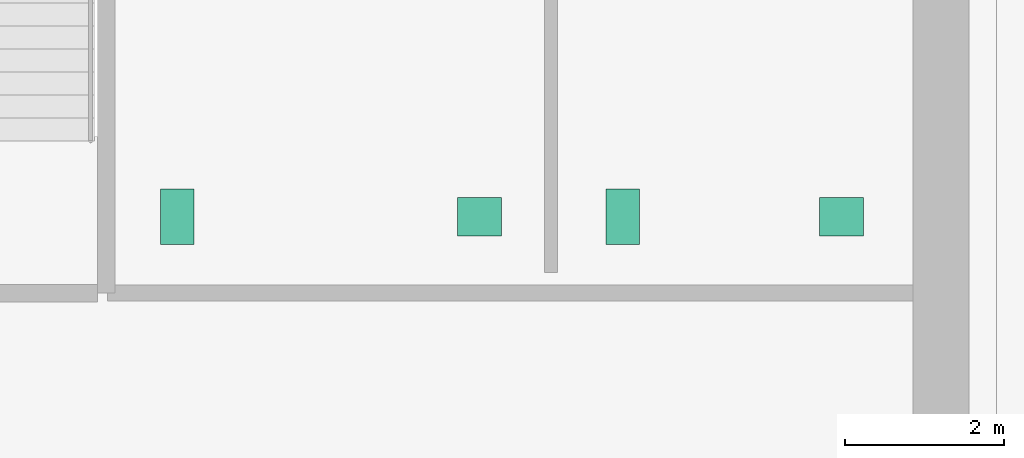
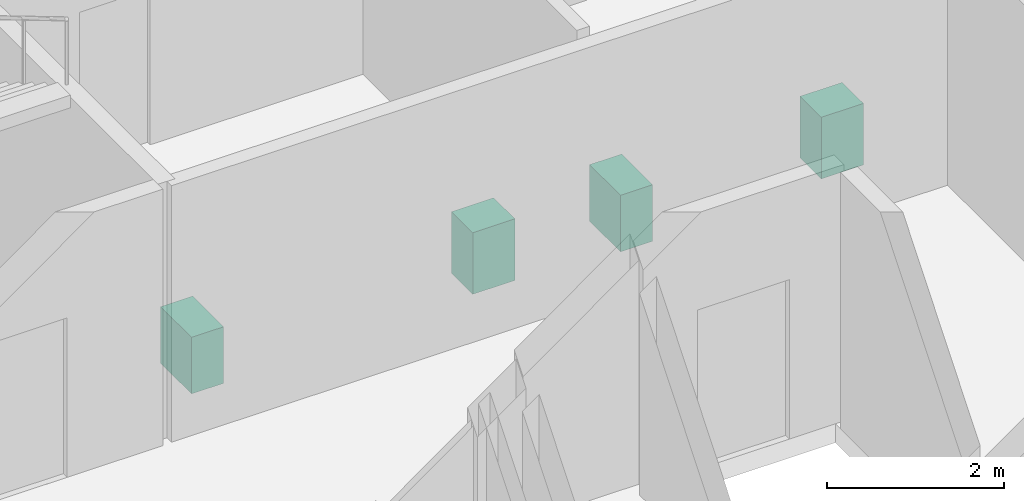
# One storey, part 11 of 11: 4 sanitary terminals.
"""IFC4 building model written with IfcOpenShell, lengths in metres."""

from ifc_helpers import new_model, si_unit, direction, frame, origin, origin_2d, place, context, subcontext, project, spatial, rectangle, extrude, material, type_object, element, save


model = new_model("IFC4")

# Units and contexts
model_context = context("Model", 3, precision=1e-05, world=origin(), true_north=direction((0.0, 1.0)))
body_context = subcontext(model_context, "Body", "Model", "MODEL_VIEW")
ifc_project = project(units=[si_unit("LENGTHUNIT", "METRE"), si_unit("AREAUNIT", "SQUARE_METRE"), si_unit("VOLUMEUNIT", "CUBIC_METRE"), si_unit("PLANEANGLEUNIT", "RADIAN"), si_unit("MASSUNIT", "GRAM", prefix="KILO")], contexts=[model_context])

# Site, building, storey
site_placement = place(None, origin())
site = spatial("IfcSite", under=ifc_project, at=site_placement, CompositionType="ELEMENT")
building_placement = place(site_placement, origin())
building = spatial("IfcBuilding", under=site, at=building_placement, Name="Norrvale University Quadrangle", CompositionType="ELEMENT")
storey_placement = place(building_placement, frame((0.0, 0.0, 210.39990234375)))
storey = spatial("IfcBuildingStorey", under=building, at=storey_placement, Name="L53", CompositionType="ELEMENT", Elevation=210.39990234375)

# Sanitary terminals
ifc_material = material(Name="Vitreous China Sanitaryware")
sanitary_terminal_type_1 = type_object("IfcSanitaryTerminalType", Name="Sanitary Wash Basin", PredefinedType="WASHHANDBASIN", material=ifc_material)
for number, where, z_axis, x_axis, name in (
    (1, (11.0, 41.10009765625, 0.0), (0.0, 0.0, 1.0), (1.0, 0.0, 0.0), "Accessible Countertop Washbasin L53-1"),
    (2, (15.550048828125, 41.10009765625, 0.0), (0.0, 0.0, 1.0), (1.0, 0.0, 0.0), "Accessible Countertop Washbasin L53-2"),
):
    element("IfcSanitaryTerminal", number, at=place(storey_placement, frame(where, z_axis=z_axis, x_axis=x_axis)), inside=storey, type_object=sanitary_terminal_type_1, Name=name, PredefinedType="WASHHANDBASIN", context=body_context, shape_type="SweptSolid", body=[
        extrude(rectangle(XDim=0.550048828125, YDim=0.47998046875, at=origin_2d()), origin(), (0.0, 0.0, 1.0), 0.85009765625),
    ])
sanitary_terminal_type_2 = type_object("IfcSanitaryTerminalType", Name="Sanitary Water Closet", PredefinedType="TOILETPAN", material=ifc_material)
for number, where, z_axis, x_axis, name in (
    (3, (7.199951171875, 41.10009765625, 0.0), (0.0, 0.0, 1.0), (1.0, 0.0, 0.0), "Wall-Hung Water Closet L53-1"),
    (4, (12.800048828125, 41.10009765625, 0.0), (0.0, 0.0, 1.0), (1.0, 0.0, 0.0), "Wall-Hung Water Closet L53-2"),
):
    element("IfcSanitaryTerminal", number, at=place(storey_placement, frame(where, z_axis=z_axis, x_axis=x_axis)), inside=storey, type_object=sanitary_terminal_type_2, Name=name, PredefinedType="TOILETPAN", context=body_context, shape_type="SweptSolid", body=[
        extrude(rectangle(XDim=0.419921875, YDim=0.699951171875, at=origin_2d()), origin(), (0.0, 0.0, 1.0), 0.780029296875),
    ])

save(model, "model.ifc")
